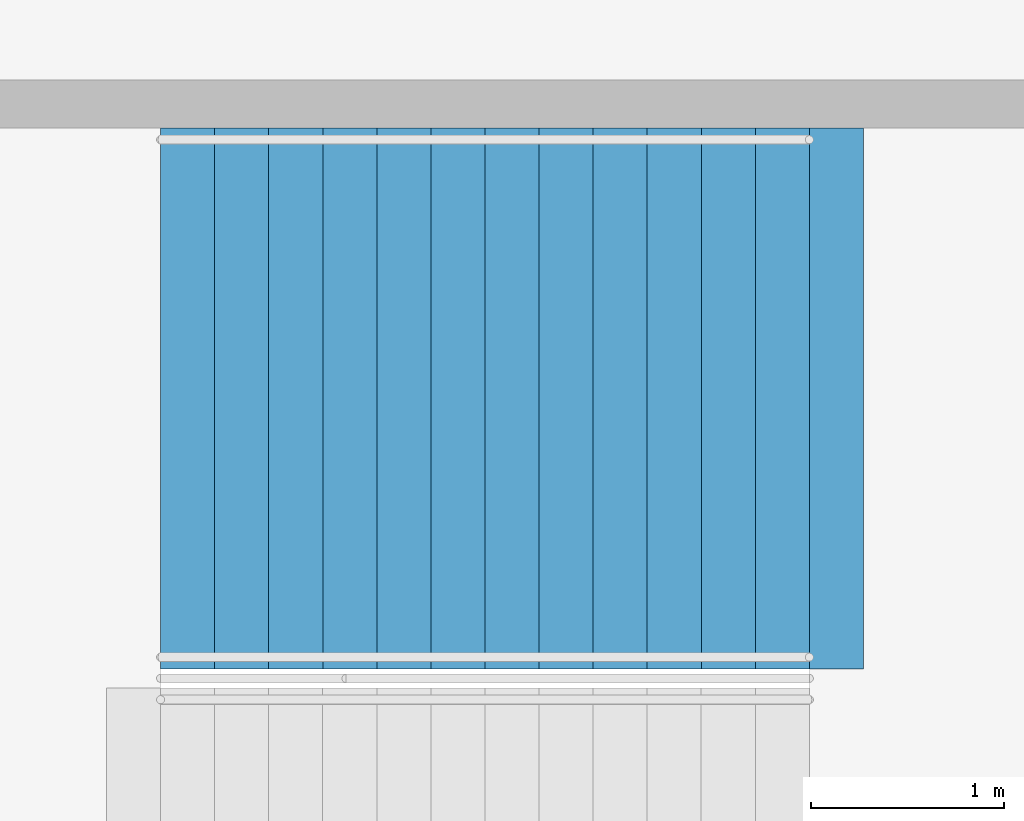
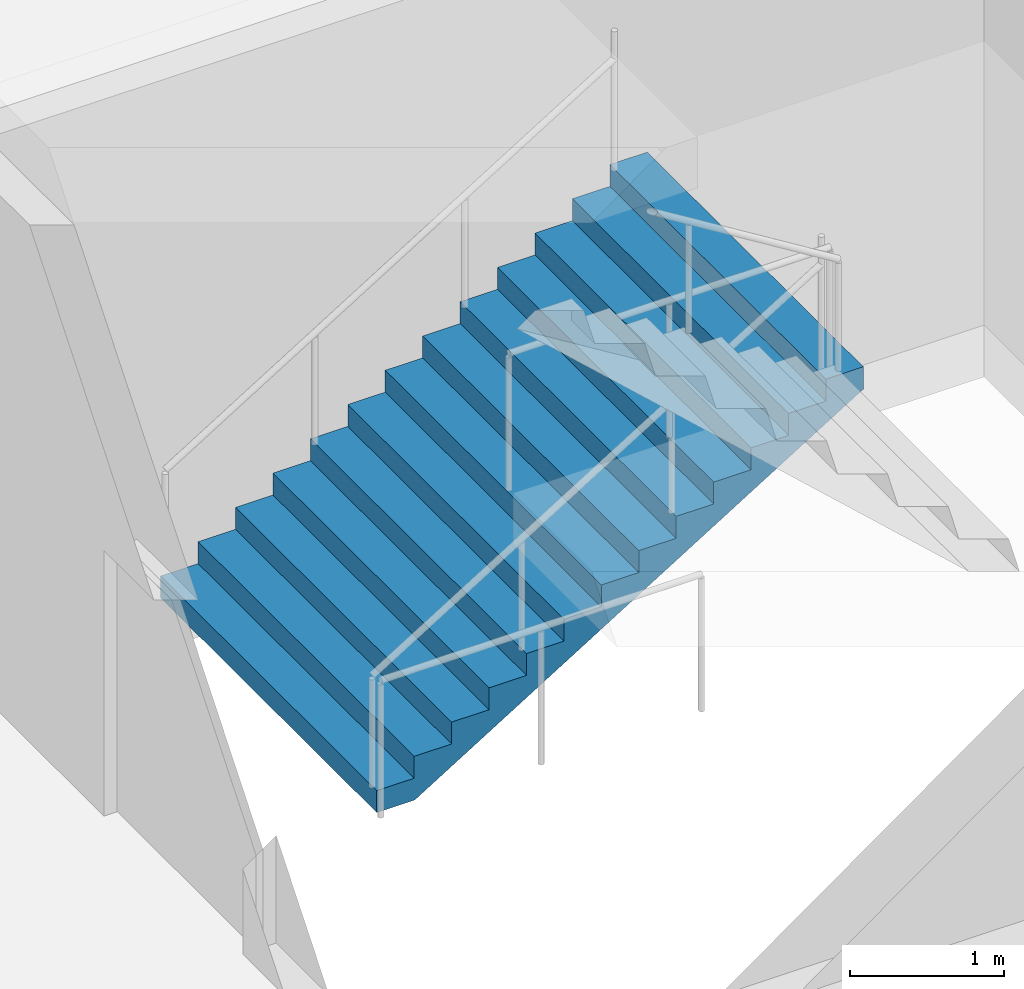
# One storey, part 223 of 249: 1 stair flight, 1 element without a shape of its own.
"""IFC4 building model written with IfcOpenShell, lengths in metres."""

from ifc_helpers import new_model, si_unit, direction, frame, origin, place, context, subcontext, project, spatial, faceted_brep, material, type_object, element, aggregate, save


model = new_model("IFC4")

# Units and contexts
model_context = context("Model", 3, precision=1e-05, world=origin(), true_north=direction((0.0, 1.0)))
body_context = subcontext(model_context, "Body", "Model", "MODEL_VIEW")
ifc_project = project(units=[si_unit("LENGTHUNIT", "METRE"), si_unit("AREAUNIT", "SQUARE_METRE"), si_unit("VOLUMEUNIT", "CUBIC_METRE"), si_unit("PLANEANGLEUNIT", "RADIAN"), si_unit("MASSUNIT", "GRAM", prefix="KILO")], contexts=[model_context])

# Site, building, storey
site_placement = place(None, origin())
site = spatial("IfcSite", under=ifc_project, at=site_placement, CompositionType="ELEMENT")
building_placement = place(site_placement, origin())
building = spatial("IfcBuilding", under=site, at=building_placement, Name="Ogive Plaza Stadium", CompositionType="ELEMENT")
storey_placement = place(building_placement, frame((0.0, 0.0, 13.5)))
storey = spatial("IfcBuildingStorey", under=building, at=storey_placement, Name="L03", CompositionType="ELEMENT", Elevation=13.5)

# Stair, stair flight
ifc_material_1 = material(Name="Concrete C40/50", Category="concrete")
stair_type = type_object("IfcStairType", Name="Exit stair", PredefinedType="STRAIGHT_RUN_STAIR", material=ifc_material_1)
stair_placement = place(storey_placement, origin())
stair = element("IfcStair", 1, at=stair_placement, inside=storey, type_object=stair_type, Name="Exit stair ST02B L03 to L04", PredefinedType="STRAIGHT_RUN_STAIR")
ifc_material_2 = material(Name="Concrete C40/50", Category="concrete")
stair_flight_type = type_object("IfcStairFlightType", Name="Exit stair flight", PredefinedType="STRAIGHT", material=ifc_material_2)
stair_flight_placement = place(storey_placement, frame((76.35009765625, 41.925048828125, 0.0), z_axis=(0.0, 0.0, 1.0), x_axis=(1.0, 0.0, 0.0)))
stair_flight = element("IfcStairFlight", 2, at=stair_flight_placement, type_object=stair_flight_type, Name="ST02B flight 1", NumberOfRisers=13, NumberOfTreads=12, PredefinedType="STRAIGHT", RiserHeight=0.173076923, TreadLength=0.28, context=body_context, shape_type="Brep", body=[
    faceted_brep([(0.28515625, -1.39990234375, 0.0), (3.639892578125, -1.39990234375, 2.07373046875), (3.639892578125, -1.39990234375, 2.25), (3.360107421875, -1.39990234375, 2.25), (3.360107421875, -1.39990234375, 2.076904296875), (3.080078125, -1.39990234375, 2.076904296875), (3.080078125, -1.39990234375, 1.90380859375), (2.800048828125, -1.39990234375, 1.90380859375), (2.800048828125, -1.39990234375, 1.730712890625), (2.52001953125, -1.39990234375, 1.730712890625), (2.52001953125, -1.39990234375, 1.5576171875), (2.239990234375, -1.39990234375, 1.5576171875), (2.239990234375, -1.39990234375, 1.384521484375), (1.9599609375, -1.39990234375, 1.384521484375), (1.9599609375, -1.39990234375, 1.21142578125), (1.679931640625, -1.39990234375, 1.21142578125), (1.679931640625, -1.39990234375, 1.03857421875), (1.39990234375, -1.39990234375, 1.03857421875), (1.39990234375, -1.39990234375, 0.865478515625), (1.1201171875, -1.39990234375, 0.865478515625), (1.1201171875, -1.39990234375, 0.6923828125), (0.840087890625, -1.39990234375, 0.6923828125), (0.840087890625, -1.39990234375, 0.519287109375), (0.56005859375, -1.39990234375, 0.519287109375), (0.56005859375, -1.39990234375, 0.34619140625), (0.280029296875, -1.39990234375, 0.34619140625), (0.280029296875, -1.39990234375, 0.173095703125), (0.0, -1.39990234375, 0.173095703125), (0.0, -1.39990234375, 0.0), (0.0, 1.39990234375, 0.0), (0.0, 1.39990234375, 0.173095703125), (0.280029296875, 1.39990234375, 0.173095703125), (0.280029296875, 1.39990234375, 0.34619140625), (0.56005859375, 1.39990234375, 0.34619140625), (0.56005859375, 1.39990234375, 0.519287109375), (0.840087890625, 1.39990234375, 0.519287109375), (0.840087890625, 1.39990234375, 0.6923828125), (1.1201171875, 1.39990234375, 0.6923828125), (1.1201171875, 1.39990234375, 0.865478515625), (1.39990234375, 1.39990234375, 0.865478515625), (1.39990234375, 1.39990234375, 1.03857421875), (1.679931640625, 1.39990234375, 1.03857421875), (1.679931640625, 1.39990234375, 1.21142578125), (1.9599609375, 1.39990234375, 1.21142578125), (1.9599609375, 1.39990234375, 1.384521484375), (2.239990234375, 1.39990234375, 1.384521484375), (2.239990234375, 1.39990234375, 1.5576171875), (2.52001953125, 1.39990234375, 1.5576171875), (2.52001953125, 1.39990234375, 1.730712890625), (2.800048828125, 1.39990234375, 1.730712890625), (2.800048828125, 1.39990234375, 1.90380859375), (3.080078125, 1.39990234375, 1.90380859375), (3.080078125, 1.39990234375, 2.076904296875), (3.360107421875, 1.39990234375, 2.076904296875), (3.360107421875, 1.39990234375, 2.25), (3.639892578125, 1.39990234375, 2.25), (3.639892578125, 1.39990234375, 2.07373046875), (0.28515625, 1.39990234375, 0.0), (0.28515625, -1.0888671875, 0.0), (3.639892578125, -1.0888671875, 2.07373046875), (0.28515625, -0.77783203125, 0.0), (3.639892578125, -0.77783203125, 2.07373046875), (0.28515625, -0.466796875, 0.0), (3.639892578125, -0.466796875, 2.07373046875), (0.28515625, -0.155517578125, 0.0), (3.639892578125, -0.155517578125, 2.07373046875), (0.28515625, 0.155517578125, 0.0), (3.639892578125, 0.155517578125, 2.07373046875), (0.28515625, 0.466796875, 0.0), (3.639892578125, 0.466796875, 2.07373046875), (0.28515625, 0.77783203125, 0.0), (3.639892578125, 0.77783203125, 2.07373046875), (0.28515625, 1.0888671875, 0.0), (3.639892578125, 1.0888671875, 2.07373046875), (3.639892578125, -1.0888671875, 2.25), (3.639892578125, -0.77783203125, 2.25), (3.639892578125, -0.466796875, 2.25), (3.639892578125, -0.155517578125, 2.25), (3.639892578125, 0.155517578125, 2.25), (3.639892578125, 0.466796875, 2.25), (3.639892578125, 0.77783203125, 2.25), (3.639892578125, 1.0888671875, 2.25), (3.360107421875, -1.0888671875, 2.25), (3.360107421875, -0.77783203125, 2.25), (3.360107421875, -0.466796875, 2.25), (3.360107421875, -0.155517578125, 2.25), (3.360107421875, 0.155517578125, 2.25), (3.360107421875, 0.466796875, 2.25), (3.360107421875, 0.77783203125, 2.25), (3.360107421875, 1.0888671875, 2.25), (3.360107421875, -1.0888671875, 2.076904296875), (3.360107421875, -0.77783203125, 2.076904296875), (3.360107421875, -0.466796875, 2.076904296875), (3.360107421875, -0.155517578125, 2.076904296875), (3.360107421875, 0.155517578125, 2.076904296875), (3.360107421875, 0.466796875, 2.076904296875), (3.360107421875, 0.77783203125, 2.076904296875), (3.360107421875, 1.0888671875, 2.076904296875), (3.080078125, -1.0888671875, 2.076904296875), (3.080078125, -0.77783203125, 2.076904296875), (3.080078125, -0.466796875, 2.076904296875), (3.080078125, -0.155517578125, 2.076904296875), (3.080078125, 0.155517578125, 2.076904296875), (3.080078125, 0.466796875, 2.076904296875), (3.080078125, 0.77783203125, 2.076904296875), (3.080078125, 1.0888671875, 2.076904296875), (3.080078125, -1.0888671875, 1.90380859375), (3.080078125, -0.77783203125, 1.90380859375), (3.080078125, -0.466796875, 1.90380859375), (3.080078125, -0.155517578125, 1.90380859375), (3.080078125, 0.155517578125, 1.90380859375), (3.080078125, 0.466796875, 1.90380859375), (3.080078125, 0.77783203125, 1.90380859375), (3.080078125, 1.0888671875, 1.90380859375), (2.800048828125, -1.0888671875, 1.90380859375), (2.800048828125, -0.77783203125, 1.90380859375), (2.800048828125, -0.466796875, 1.90380859375), (2.800048828125, -0.155517578125, 1.90380859375), (2.800048828125, 0.155517578125, 1.90380859375), (2.800048828125, 0.466796875, 1.90380859375), (2.800048828125, 0.77783203125, 1.90380859375), (2.800048828125, 1.0888671875, 1.90380859375), (2.800048828125, -1.0888671875, 1.730712890625), (2.800048828125, -0.77783203125, 1.730712890625), (2.800048828125, -0.466796875, 1.730712890625), (2.800048828125, -0.155517578125, 1.730712890625), (2.800048828125, 0.155517578125, 1.730712890625), (2.800048828125, 0.466796875, 1.730712890625), (2.800048828125, 0.77783203125, 1.730712890625), (2.800048828125, 1.0888671875, 1.730712890625), (2.52001953125, -1.0888671875, 1.730712890625), (2.52001953125, -0.77783203125, 1.730712890625), (2.52001953125, -0.466796875, 1.730712890625), (2.52001953125, -0.155517578125, 1.730712890625), (2.52001953125, 0.155517578125, 1.730712890625), (2.52001953125, 0.466796875, 1.730712890625), (2.52001953125, 0.77783203125, 1.730712890625), (2.52001953125, 1.0888671875, 1.730712890625), (2.52001953125, -1.0888671875, 1.5576171875), (2.52001953125, -0.77783203125, 1.5576171875), (2.52001953125, -0.466796875, 1.5576171875), (2.52001953125, -0.155517578125, 1.5576171875), (2.52001953125, 0.155517578125, 1.5576171875), (2.52001953125, 0.466796875, 1.5576171875), (2.52001953125, 0.77783203125, 1.5576171875), (2.52001953125, 1.0888671875, 1.5576171875), (2.239990234375, -1.0888671875, 1.5576171875), (2.239990234375, -0.77783203125, 1.5576171875), (2.239990234375, -0.466796875, 1.5576171875), (2.239990234375, -0.155517578125, 1.5576171875), (2.239990234375, 0.155517578125, 1.5576171875), (2.239990234375, 0.466796875, 1.5576171875), (2.239990234375, 0.77783203125, 1.5576171875), (2.239990234375, 1.0888671875, 1.5576171875), (2.239990234375, -1.0888671875, 1.384521484375), (2.239990234375, -0.77783203125, 1.384521484375), (2.239990234375, -0.466796875, 1.384521484375), (2.239990234375, -0.155517578125, 1.384521484375), (2.239990234375, 0.155517578125, 1.384521484375), (2.239990234375, 0.466796875, 1.384521484375), (2.239990234375, 0.77783203125, 1.384521484375), (2.239990234375, 1.0888671875, 1.384521484375), (1.9599609375, -1.0888671875, 1.384521484375), (1.9599609375, -0.77783203125, 1.384521484375), (1.9599609375, -0.466796875, 1.384521484375), (1.9599609375, -0.155517578125, 1.384521484375), (1.9599609375, 0.155517578125, 1.384521484375), (1.9599609375, 0.466796875, 1.384521484375), (1.9599609375, 0.77783203125, 1.384521484375), (1.9599609375, 1.0888671875, 1.384521484375), (1.9599609375, -1.0888671875, 1.21142578125), (1.9599609375, -0.77783203125, 1.21142578125), (1.9599609375, -0.466796875, 1.21142578125), (1.9599609375, -0.155517578125, 1.21142578125), (1.9599609375, 0.155517578125, 1.21142578125), (1.9599609375, 0.466796875, 1.21142578125), (1.9599609375, 0.77783203125, 1.21142578125), (1.9599609375, 1.0888671875, 1.21142578125), (1.679931640625, -1.0888671875, 1.21142578125), (1.679931640625, -0.77783203125, 1.21142578125), (1.679931640625, -0.466796875, 1.21142578125), (1.679931640625, -0.155517578125, 1.21142578125), (1.679931640625, 0.155517578125, 1.21142578125), (1.679931640625, 0.466796875, 1.21142578125), (1.679931640625, 0.77783203125, 1.21142578125), (1.679931640625, 1.0888671875, 1.21142578125), (1.679931640625, -1.0888671875, 1.03857421875), (1.679931640625, -0.77783203125, 1.03857421875), (1.679931640625, -0.466796875, 1.03857421875), (1.679931640625, -0.155517578125, 1.03857421875), (1.679931640625, 0.155517578125, 1.03857421875), (1.679931640625, 0.466796875, 1.03857421875), (1.679931640625, 0.77783203125, 1.03857421875), (1.679931640625, 1.0888671875, 1.03857421875), (1.39990234375, -1.0888671875, 1.03857421875), (1.39990234375, -0.77783203125, 1.03857421875), (1.39990234375, -0.466796875, 1.03857421875), (1.39990234375, -0.155517578125, 1.03857421875), (1.39990234375, 0.155517578125, 1.03857421875), (1.39990234375, 0.466796875, 1.03857421875), (1.39990234375, 0.77783203125, 1.03857421875), (1.39990234375, 1.0888671875, 1.03857421875), (1.39990234375, -1.0888671875, 0.865478515625), (1.39990234375, -0.77783203125, 0.865478515625), (1.39990234375, -0.466796875, 0.865478515625), (1.39990234375, -0.155517578125, 0.865478515625), (1.39990234375, 0.155517578125, 0.865478515625), (1.39990234375, 0.466796875, 0.865478515625), (1.39990234375, 0.77783203125, 0.865478515625), (1.39990234375, 1.0888671875, 0.865478515625), (1.1201171875, -1.0888671875, 0.865478515625), (1.1201171875, -0.77783203125, 0.865478515625), (1.1201171875, -0.466796875, 0.865478515625), (1.1201171875, -0.155517578125, 0.865478515625), (1.1201171875, 0.155517578125, 0.865478515625), (1.1201171875, 0.466796875, 0.865478515625), (1.1201171875, 0.77783203125, 0.865478515625), (1.1201171875, 1.0888671875, 0.865478515625), (1.1201171875, -1.0888671875, 0.6923828125), (1.1201171875, -0.77783203125, 0.6923828125), (1.1201171875, -0.466796875, 0.6923828125), (1.1201171875, -0.155517578125, 0.6923828125), (1.1201171875, 0.155517578125, 0.6923828125), (1.1201171875, 0.466796875, 0.6923828125), (1.1201171875, 0.77783203125, 0.6923828125), (1.1201171875, 1.0888671875, 0.6923828125), (0.840087890625, -1.0888671875, 0.6923828125), (0.840087890625, -0.77783203125, 0.6923828125), (0.840087890625, -0.466796875, 0.6923828125), (0.840087890625, -0.155517578125, 0.6923828125), (0.840087890625, 0.155517578125, 0.6923828125), (0.840087890625, 0.466796875, 0.6923828125), (0.840087890625, 0.77783203125, 0.6923828125), (0.840087890625, 1.0888671875, 0.6923828125), (0.840087890625, -1.0888671875, 0.519287109375), (0.840087890625, -0.77783203125, 0.519287109375), (0.840087890625, -0.466796875, 0.519287109375), (0.840087890625, -0.155517578125, 0.519287109375), (0.840087890625, 0.155517578125, 0.519287109375), (0.840087890625, 0.466796875, 0.519287109375), (0.840087890625, 0.77783203125, 0.519287109375), (0.840087890625, 1.0888671875, 0.519287109375), (0.56005859375, -1.0888671875, 0.519287109375), (0.56005859375, -0.77783203125, 0.519287109375), (0.56005859375, -0.466796875, 0.519287109375), (0.56005859375, -0.155517578125, 0.519287109375), (0.56005859375, 0.155517578125, 0.519287109375), (0.56005859375, 0.466796875, 0.519287109375), (0.56005859375, 0.77783203125, 0.519287109375), (0.56005859375, 1.0888671875, 0.519287109375), (0.56005859375, -1.0888671875, 0.34619140625), (0.56005859375, -0.77783203125, 0.34619140625), (0.56005859375, -0.466796875, 0.34619140625), (0.56005859375, -0.155517578125, 0.34619140625), (0.56005859375, 0.155517578125, 0.34619140625), (0.56005859375, 0.466796875, 0.34619140625), (0.56005859375, 0.77783203125, 0.34619140625), (0.56005859375, 1.0888671875, 0.34619140625), (0.280029296875, -1.0888671875, 0.34619140625), (0.280029296875, -0.77783203125, 0.34619140625), (0.280029296875, -0.466796875, 0.34619140625), (0.280029296875, -0.155517578125, 0.34619140625), (0.280029296875, 0.155517578125, 0.34619140625), (0.280029296875, 0.466796875, 0.34619140625), (0.280029296875, 0.77783203125, 0.34619140625), (0.280029296875, 1.0888671875, 0.34619140625), (0.280029296875, -1.0888671875, 0.173095703125), (0.280029296875, -0.77783203125, 0.173095703125), (0.280029296875, -0.466796875, 0.173095703125), (0.280029296875, -0.155517578125, 0.173095703125), (0.280029296875, 0.155517578125, 0.173095703125), (0.280029296875, 0.466796875, 0.173095703125), (0.280029296875, 0.77783203125, 0.173095703125), (0.280029296875, 1.0888671875, 0.173095703125), (0.0, -1.0888671875, 0.173095703125), (0.0, -0.77783203125, 0.173095703125), (0.0, -0.466796875, 0.173095703125), (0.0, -0.155517578125, 0.173095703125), (0.0, 0.155517578125, 0.173095703125), (0.0, 0.466796875, 0.173095703125), (0.0, 0.77783203125, 0.173095703125), (0.0, 1.0888671875, 0.173095703125), (0.0, -1.0888671875, 0.0), (0.0, -0.77783203125, 0.0), (0.0, -0.466796875, 0.0), (0.0, -0.155517578125, 0.0), (0.0, 0.155517578125, 0.0), (0.0, 0.466796875, 0.0), (0.0, 0.77783203125, 0.0), (0.0, 1.0888671875, 0.0)], [[[0, 1, 2, 3, 4, 5, 6, 7, 8, 9, 10, 11, 12, 13, 14, 15, 16, 17, 18, 19, 20, 21, 22, 23, 24, 25, 26, 27, 28]], [[29, 30, 31, 32, 33, 34, 35, 36, 37, 38, 39, 40, 41, 42, 43, 44, 45, 46, 47, 48, 49, 50, 51, 52, 53, 54, 55, 56, 57]], [[0, 58, 59, 1]], [[58, 60, 61, 59]], [[60, 62, 63, 61]], [[62, 64, 65, 63]], [[64, 66, 67, 65]], [[66, 68, 69, 67]], [[68, 70, 71, 69]], [[70, 72, 73, 71]], [[72, 57, 56, 73]], [[1, 59, 74, 2]], [[59, 61, 75, 74]], [[61, 63, 76, 75]], [[63, 65, 77, 76]], [[65, 67, 78, 77]], [[67, 69, 79, 78]], [[69, 71, 80, 79]], [[71, 73, 81, 80]], [[73, 56, 55, 81]], [[2, 74, 82, 3]], [[74, 75, 83, 82]], [[75, 76, 84, 83]], [[76, 77, 85, 84]], [[77, 78, 86, 85]], [[78, 79, 87, 86]], [[79, 80, 88, 87]], [[80, 81, 89, 88]], [[81, 55, 54, 89]], [[3, 82, 90, 4]], [[82, 83, 91, 90]], [[83, 84, 92, 91]], [[84, 85, 93, 92]], [[85, 86, 94, 93]], [[86, 87, 95, 94]], [[87, 88, 96, 95]], [[88, 89, 97, 96]], [[89, 54, 53, 97]], [[4, 90, 98, 5]], [[90, 91, 99, 98]], [[91, 92, 100, 99]], [[92, 93, 101, 100]], [[93, 94, 102, 101]], [[94, 95, 103, 102]], [[95, 96, 104, 103]], [[96, 97, 105, 104]], [[97, 53, 52, 105]], [[5, 98, 106, 6]], [[98, 99, 107, 106]], [[99, 100, 108, 107]], [[100, 101, 109, 108]], [[101, 102, 110, 109]], [[102, 103, 111, 110]], [[103, 104, 112, 111]], [[104, 105, 113, 112]], [[105, 52, 51, 113]], [[6, 106, 114, 7]], [[106, 107, 115, 114]], [[107, 108, 116, 115]], [[108, 109, 117, 116]], [[109, 110, 118, 117]], [[110, 111, 119, 118]], [[111, 112, 120, 119]], [[112, 113, 121, 120]], [[113, 51, 50, 121]], [[7, 114, 122, 8]], [[114, 115, 123, 122]], [[115, 116, 124, 123]], [[116, 117, 125, 124]], [[117, 118, 126, 125]], [[118, 119, 127, 126]], [[119, 120, 128, 127]], [[120, 121, 129, 128]], [[121, 50, 49, 129]], [[8, 122, 130, 9]], [[122, 123, 131, 130]], [[123, 124, 132, 131]], [[124, 125, 133, 132]], [[125, 126, 134, 133]], [[126, 127, 135, 134]], [[127, 128, 136, 135]], [[128, 129, 137, 136]], [[129, 49, 48, 137]], [[9, 130, 138, 10]], [[130, 131, 139, 138]], [[131, 132, 140, 139]], [[132, 133, 141, 140]], [[133, 134, 142, 141]], [[134, 135, 143, 142]], [[135, 136, 144, 143]], [[136, 137, 145, 144]], [[137, 48, 47, 145]], [[10, 138, 146, 11]], [[138, 139, 147, 146]], [[139, 140, 148, 147]], [[140, 141, 149, 148]], [[141, 142, 150, 149]], [[142, 143, 151, 150]], [[143, 144, 152, 151]], [[144, 145, 153, 152]], [[145, 47, 46, 153]], [[11, 146, 154, 12]], [[146, 147, 155, 154]], [[147, 148, 156, 155]], [[148, 149, 157, 156]], [[149, 150, 158, 157]], [[150, 151, 159, 158]], [[151, 152, 160, 159]], [[152, 153, 161, 160]], [[153, 46, 45, 161]], [[12, 154, 162, 13]], [[154, 155, 163, 162]], [[155, 156, 164, 163]], [[156, 157, 165, 164]], [[157, 158, 166, 165]], [[158, 159, 167, 166]], [[159, 160, 168, 167]], [[160, 161, 169, 168]], [[161, 45, 44, 169]], [[13, 162, 170, 14]], [[162, 163, 171, 170]], [[163, 164, 172, 171]], [[164, 165, 173, 172]], [[165, 166, 174, 173]], [[166, 167, 175, 174]], [[167, 168, 176, 175]], [[168, 169, 177, 176]], [[169, 44, 43, 177]], [[14, 170, 178, 15]], [[170, 171, 179, 178]], [[171, 172, 180, 179]], [[172, 173, 181, 180]], [[173, 174, 182, 181]], [[174, 175, 183, 182]], [[175, 176, 184, 183]], [[176, 177, 185, 184]], [[177, 43, 42, 185]], [[15, 178, 186, 16]], [[178, 179, 187, 186]], [[179, 180, 188, 187]], [[180, 181, 189, 188]], [[181, 182, 190, 189]], [[182, 183, 191, 190]], [[183, 184, 192, 191]], [[184, 185, 193, 192]], [[185, 42, 41, 193]], [[16, 186, 194, 17]], [[186, 187, 195, 194]], [[187, 188, 196, 195]], [[188, 189, 197, 196]], [[189, 190, 198, 197]], [[190, 191, 199, 198]], [[191, 192, 200, 199]], [[192, 193, 201, 200]], [[193, 41, 40, 201]], [[17, 194, 202, 18]], [[194, 195, 203, 202]], [[195, 196, 204, 203]], [[196, 197, 205, 204]], [[197, 198, 206, 205]], [[198, 199, 207, 206]], [[199, 200, 208, 207]], [[200, 201, 209, 208]], [[201, 40, 39, 209]], [[18, 202, 210, 19]], [[202, 203, 211, 210]], [[203, 204, 212, 211]], [[204, 205, 213, 212]], [[205, 206, 214, 213]], [[206, 207, 215, 214]], [[207, 208, 216, 215]], [[208, 209, 217, 216]], [[209, 39, 38, 217]], [[19, 210, 218, 20]], [[210, 211, 219, 218]], [[211, 212, 220, 219]], [[212, 213, 221, 220]], [[213, 214, 222, 221]], [[214, 215, 223, 222]], [[215, 216, 224, 223]], [[216, 217, 225, 224]], [[217, 38, 37, 225]], [[20, 218, 226, 21]], [[218, 219, 227, 226]], [[219, 220, 228, 227]], [[220, 221, 229, 228]], [[221, 222, 230, 229]], [[222, 223, 231, 230]], [[223, 224, 232, 231]], [[224, 225, 233, 232]], [[225, 37, 36, 233]], [[21, 226, 234, 22]], [[226, 227, 235, 234]], [[227, 228, 236, 235]], [[228, 229, 237, 236]], [[229, 230, 238, 237]], [[230, 231, 239, 238]], [[231, 232, 240, 239]], [[232, 233, 241, 240]], [[233, 36, 35, 241]], [[22, 234, 242, 23]], [[234, 235, 243, 242]], [[235, 236, 244, 243]], [[236, 237, 245, 244]], [[237, 238, 246, 245]], [[238, 239, 247, 246]], [[239, 240, 248, 247]], [[240, 241, 249, 248]], [[241, 35, 34, 249]], [[23, 242, 250, 24]], [[242, 243, 251, 250]], [[243, 244, 252, 251]], [[244, 245, 253, 252]], [[245, 246, 254, 253]], [[246, 247, 255, 254]], [[247, 248, 256, 255]], [[248, 249, 257, 256]], [[249, 34, 33, 257]], [[24, 250, 258, 25]], [[250, 251, 259, 258]], [[251, 252, 260, 259]], [[252, 253, 261, 260]], [[253, 254, 262, 261]], [[254, 255, 263, 262]], [[255, 256, 264, 263]], [[256, 257, 265, 264]], [[257, 33, 32, 265]], [[25, 258, 266, 26]], [[258, 259, 267, 266]], [[259, 260, 268, 267]], [[260, 261, 269, 268]], [[261, 262, 270, 269]], [[262, 263, 271, 270]], [[263, 264, 272, 271]], [[264, 265, 273, 272]], [[265, 32, 31, 273]], [[26, 266, 274, 27]], [[266, 267, 275, 274]], [[267, 268, 276, 275]], [[268, 269, 277, 276]], [[269, 270, 278, 277]], [[270, 271, 279, 278]], [[271, 272, 280, 279]], [[272, 273, 281, 280]], [[273, 31, 30, 281]], [[27, 274, 282, 28]], [[274, 275, 283, 282]], [[275, 276, 284, 283]], [[276, 277, 285, 284]], [[277, 278, 286, 285]], [[278, 279, 287, 286]], [[279, 280, 288, 287]], [[280, 281, 289, 288]], [[281, 30, 29, 289]], [[28, 282, 58, 0]], [[282, 283, 60, 58]], [[283, 284, 62, 60]], [[284, 285, 64, 62]], [[285, 286, 66, 64]], [[286, 287, 68, 66]], [[287, 288, 70, 68]], [[288, 289, 72, 70]], [[289, 29, 57, 72]]]),
])
aggregate(stair, [stair_flight])

save(model, "model.ifc")
